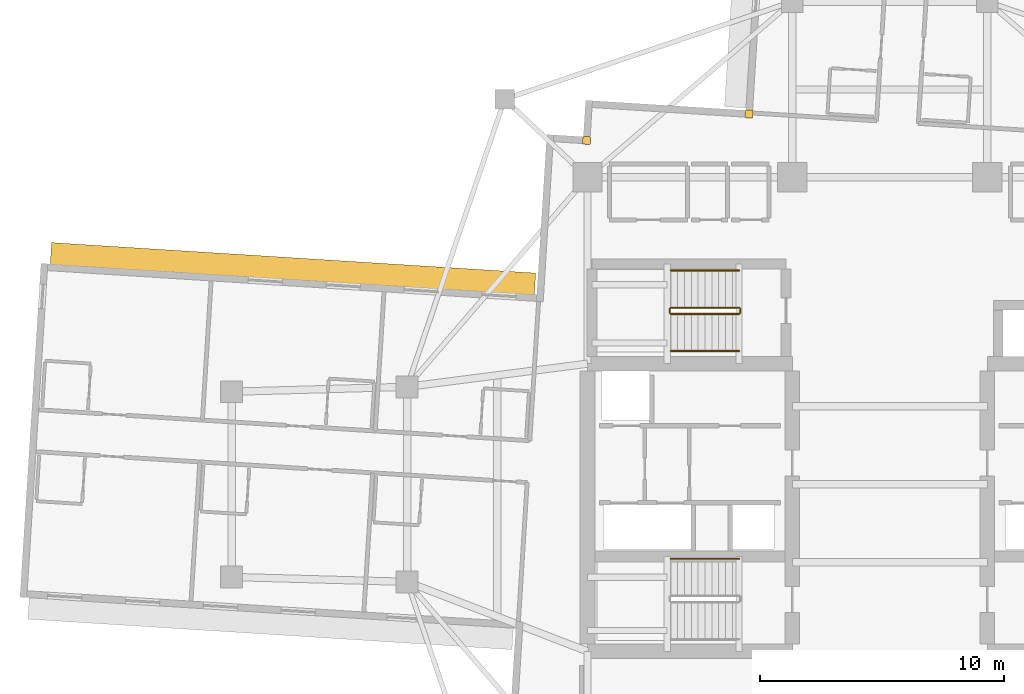
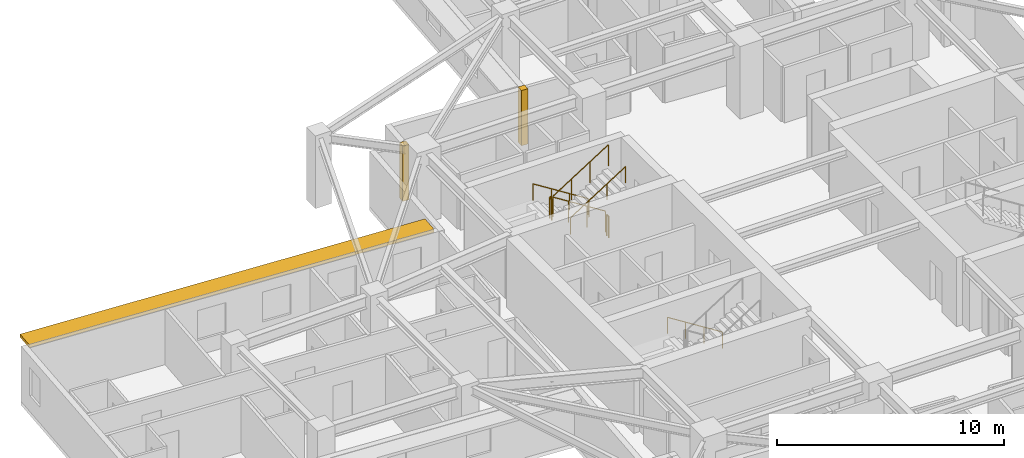
# One storey, part 13 of 14: 7 railings, 2 coverings, 1 shading device.
"""IFC4 building model written with IfcOpenShell, lengths in metres."""

from ifc_helpers import new_model, si_unit, direction, frame, origin, origin_2d, place, context, subcontext, project, spatial, rectangle, circle, extrude, material, layer, layer_set, type_object, element, save


model = new_model("IFC4")

# Units and contexts
model_context = context("Model", 3, precision=1e-05, world=origin(), true_north=direction((0.0, 1.0)))
body_context = subcontext(model_context, "Body", "Model", "MODEL_VIEW")
ifc_project = project(units=[si_unit("LENGTHUNIT", "METRE"), si_unit("AREAUNIT", "SQUARE_METRE"), si_unit("VOLUMEUNIT", "CUBIC_METRE"), si_unit("PLANEANGLEUNIT", "RADIAN"), si_unit("MASSUNIT", "GRAM", prefix="KILO")], contexts=[model_context])

# Site, building, storey
site_placement = place(None, origin())
site = spatial("IfcSite", under=ifc_project, at=site_placement, CompositionType="ELEMENT")
building_placement = place(site_placement, origin())
building = spatial("IfcBuilding", under=site, at=building_placement, Name="Qingluan Cross Belvedere", CompositionType="ELEMENT")
storey_placement = place(building_placement, frame((0.0, 0.0, 168.300048828125)))
storey = spatial("IfcBuildingStorey", under=building, at=storey_placement, Name="L42", CompositionType="ELEMENT", Elevation=168.300048828125)

# Coverings
ifc_material_1 = material(Name="Precast concrete C45", Category="concrete")
ifc_layer_1 = layer(ifc_material_1, 0.1201171875, Name="ConcreteSpandrelCladding_120")
ifc_layer_set_1 = layer_set([ifc_layer_1], Name="Precast concrete C45")
covering_type = type_object("IfcCoveringType", Name="ConcreteSpandrelCladding_120", PredefinedType="CLADDING", material=ifc_layer_set_1)
for number, where, z_axis, x_axis, name in (
    (1, (-12.438720703125, 14.10888671875, 0.0), (0.0, 0.0, 1.0), (0.998026728428, -0.062790519529, 0.0), "Corner closure L42-NW1"),
    (2, (-5.77734375, 15.192626953125, 0.0), (0.0, 0.0, 1.0), (0.998026728428, -0.062790519529, 0.0), "Corner closure L42-NW2"),
):
    element("IfcCovering", number, at=place(storey_placement, frame(where, z_axis=z_axis, x_axis=x_axis)), inside=storey, type_object=covering_type, Name=name, PredefinedType="CLADDING", context=body_context, shape_type="SweptSolid", body=[
        extrude(rectangle(XDim=0.320068359375, YDim=0.320068359375, at=origin_2d()), origin(), (0.0, 0.0, 1.0), 2.969970703125),
    ])

# Shading device
ifc_material_2 = material(Name="Precast concrete C45", Category="concrete")
ifc_layer_2 = layer(ifc_material_2, 0.159912109375, Name="ConcreteSunshadeBand_900")
ifc_layer_set_2 = layer_set([ifc_layer_2], Name="Precast concrete C45")
shading_device_type = type_object("IfcShadingDeviceType", Name="ConcreteSunshadeBand_900", PredefinedType="USERDEFINED", material=ifc_layer_set_2)
shading_device_placement = place(storey_placement, frame((-24.48291015625, 8.8447265625, 2.7900390625), z_axis=(0.0, 0.0, 1.0), x_axis=(-0.998026688207, 0.062791158819, 0.0)))
element("IfcShadingDevice", 3, at=shading_device_placement, inside=storey, type_object=shading_device_type, Name="Concrete SUNSHADE L42-WA", ObjectType="SUNSHADE", PredefinedType="USERDEFINED", context=body_context, shape_type="SweptSolid", body=[
    extrude(rectangle(XDim=19.89990234375, YDim=0.89990234375, at=origin_2d()), origin(), (0.0, 0.0, 1.0), 0.159912109375),
])

# Railings
ifc_material_3 = material(Name="Brushed stainless steel tubular handrail", Category="steel")
railing_type_1 = type_object("IfcRailingType", Name="StairPitchHandrail_900", PredefinedType="HANDRAIL", material=ifc_material_3)
for number, where, name in (
    (4, (-6.179931640625, -3.050048828125, 0.17724609375), "L42 ST1 stair handrail 1"),
    (5, (-6.179931640625, 8.77001953125, 0.17724609375), "L42 ST3 stair handrail 1"),
):
    element("IfcRailing", number, at=place(storey_placement, frame(where)), inside=storey, type_object=railing_type_1, Name=name, PredefinedType="HANDRAIL", context=body_context, shape_type="SweptSolid", body=[
        extrude(circle(Radius=0.02392578125, at=origin_2d()), frame((0.0, 0.0, 0.8759765625), z_axis=(-0.844908973607, 0.0, 0.534910110503), x_axis=(0.0, -1.0, 0.0)), (0.0, 0.0, 1.0), 3.31396484375),
        extrude(circle(Radius=0.02099609375, at=origin_2d()), origin(), (0.0, 0.0, 1.0), 0.851806640625),
        extrude(circle(Radius=0.02099609375, at=origin_2d()), frame((-0.933349609375, 0.0, 0.5908203125)), (0.0, 0.0, 1.0), 0.851806640625),
        extrude(circle(Radius=0.02099609375, at=origin_2d()), frame((-1.86669921875, 0.0, 1.181884765625)), (0.0, 0.0, 1.0), 0.851806640625),
        extrude(circle(Radius=0.02099609375, at=origin_2d()), frame((-2.800048828125, 0.0, 1.772705078125)), (0.0, 0.0, 1.0), 0.851806640625),
    ])
railing_1_placement = place(storey_placement, frame((-8.97998046875, 5.469970703125, 2.127197265625)))
element("IfcRailing", 6, at=railing_1_placement, inside=storey, type_object=railing_type_1, Name="L42 ST3 stair handrail 2", PredefinedType="HANDRAIL", context=body_context, shape_type="SweptSolid", body=[
    extrude(circle(Radius=0.02392578125, at=origin_2d()), frame((0.0, 0.0, 0.8759765625), z_axis=(0.844908973607, 0.0, 0.534910110503), x_axis=(0.0, 1.0, 0.0)), (0.0, 0.0, 1.0), 3.31396484375),
    extrude(circle(Radius=0.02099609375, at=origin_2d()), origin(), (0.0, 0.0, 1.0), 0.851806640625),
    extrude(circle(Radius=0.02099609375, at=origin_2d()), frame((0.933349609375, 0.0, 0.5908203125)), (0.0, 0.0, 1.0), 0.851806640625),
    extrude(circle(Radius=0.02099609375, at=origin_2d()), frame((1.86669921875, 0.0, 1.181884765625)), (0.0, 0.0, 1.0), 0.851806640625),
    extrude(circle(Radius=0.02099609375, at=origin_2d()), frame((2.800048828125, 0.0, 1.772705078125)), (0.0, 0.0, 1.0), 0.851806640625),
])
ifc_material_4 = material(Name="Painted steel stair well guard", Category="steel")
railing_type_2 = type_object("IfcRailingType", Name="StairWellGuard_1150", PredefinedType="BALUSTRADE", material=ifc_material_4)
railing_2_placement = place(storey_placement, frame((-6.179931640625, 7.25, 0.17724609375)))
element("IfcRailing", 7, at=railing_2_placement, inside=storey, type_object=railing_type_2, Name="L42 ST3 stair guard 1", PredefinedType="BALUSTRADE", context=body_context, shape_type="SweptSolid", body=[
    extrude(circle(Radius=0.02392578125, at=origin_2d()), frame((0.0, 0.0, 1.1259765625), z_axis=(-0.844908973607, 0.0, 0.534910110503), x_axis=(0.0, -1.0, 0.0)), (0.0, 0.0, 1.0), 3.31396484375),
    extrude(circle(Radius=0.02099609375, at=origin_2d()), origin(), (0.0, 0.0, 1.0), 1.101806640625),
    extrude(circle(Radius=0.02099609375, at=origin_2d()), frame((-0.933349609375, 0.0, 0.5908203125)), (0.0, 0.0, 1.0), 1.101806640625),
    extrude(circle(Radius=0.02099609375, at=origin_2d()), frame((-1.86669921875, 0.0, 1.181884765625)), (0.0, 0.0, 1.0), 1.101806640625),
    extrude(circle(Radius=0.02099609375, at=origin_2d()), frame((-2.800048828125, 0.0, 1.772705078125)), (0.0, 0.0, 1.0), 1.101806640625),
])
railing_3_placement = place(storey_placement, frame((-9.030029296875, 7.199951171875, 1.949951171875)))
element("IfcRailing", 8, at=railing_3_placement, inside=storey, type_object=railing_type_2, Name="L42 ST3 stair guard 2", PredefinedType="BALUSTRADE", context=body_context, shape_type="SweptSolid", body=[
    extrude(circle(Radius=0.02392578125, at=origin_2d()), frame((0.0, 0.0, 1.1259765625), z_axis=(0.0, -1.0, 0.0), x_axis=(1.0, 0.0, 0.0)), (0.0, 0.0, 1.0), 0.159912109375),
    extrude(circle(Radius=0.02099609375, at=origin_2d()), origin(), (0.0, 0.0, 1.0), 1.101806640625),
    extrude(circle(Radius=0.02099609375, at=origin_2d()), frame((0.0, -0.159912109375, 0.0)), (0.0, 0.0, 1.0), 1.101806640625),
])
railing_4_placement = place(storey_placement, frame((-8.97998046875, 6.989990234375, 2.127197265625)))
element("IfcRailing", 9, at=railing_4_placement, inside=storey, type_object=railing_type_2, Name="L42 ST3 stair guard 3", PredefinedType="BALUSTRADE", context=body_context, shape_type="SweptSolid", body=[
    extrude(circle(Radius=0.02392578125, at=origin_2d()), frame((0.0, 0.0, 1.1259765625), z_axis=(0.844908973607, 0.0, 0.534910110503), x_axis=(0.0, 1.0, 0.0)), (0.0, 0.0, 1.0), 3.31396484375),
    extrude(circle(Radius=0.02099609375, at=origin_2d()), origin(), (0.0, 0.0, 1.0), 1.101806640625),
    extrude(circle(Radius=0.02099609375, at=origin_2d()), frame((0.933349609375, 0.0, 0.5908203125)), (0.0, 0.0, 1.0), 1.101806640625),
    extrude(circle(Radius=0.02099609375, at=origin_2d()), frame((1.86669921875, 0.0, 1.181884765625)), (0.0, 0.0, 1.0), 1.101806640625),
    extrude(circle(Radius=0.02099609375, at=origin_2d()), frame((2.800048828125, 0.0, 1.772705078125)), (0.0, 0.0, 1.0), 1.101806640625),
])
railing_5_placement = place(storey_placement, frame((-6.1298828125, 7.199951171875, 0.0)))
element("IfcRailing", 10, at=railing_5_placement, inside=storey, type_object=railing_type_2, Name="L42 ST3 stair guard 4", PredefinedType="BALUSTRADE", context=body_context, shape_type="SweptSolid", body=[
    extrude(circle(Radius=0.02392578125, at=origin_2d()), frame((0.0, 0.0, 1.1259765625), z_axis=(0.0, -1.0, 0.0), x_axis=(1.0, 0.0, 0.0)), (0.0, 0.0, 1.0), 0.159912109375),
    extrude(circle(Radius=0.02099609375, at=origin_2d()), origin(), (0.0, 0.0, 1.0), 1.101806640625),
    extrude(circle(Radius=0.02099609375, at=origin_2d()), frame((0.0, -0.159912109375, 0.0)), (0.0, 0.0, 1.0), 1.101806640625),
])

save(model, "model.ifc")
